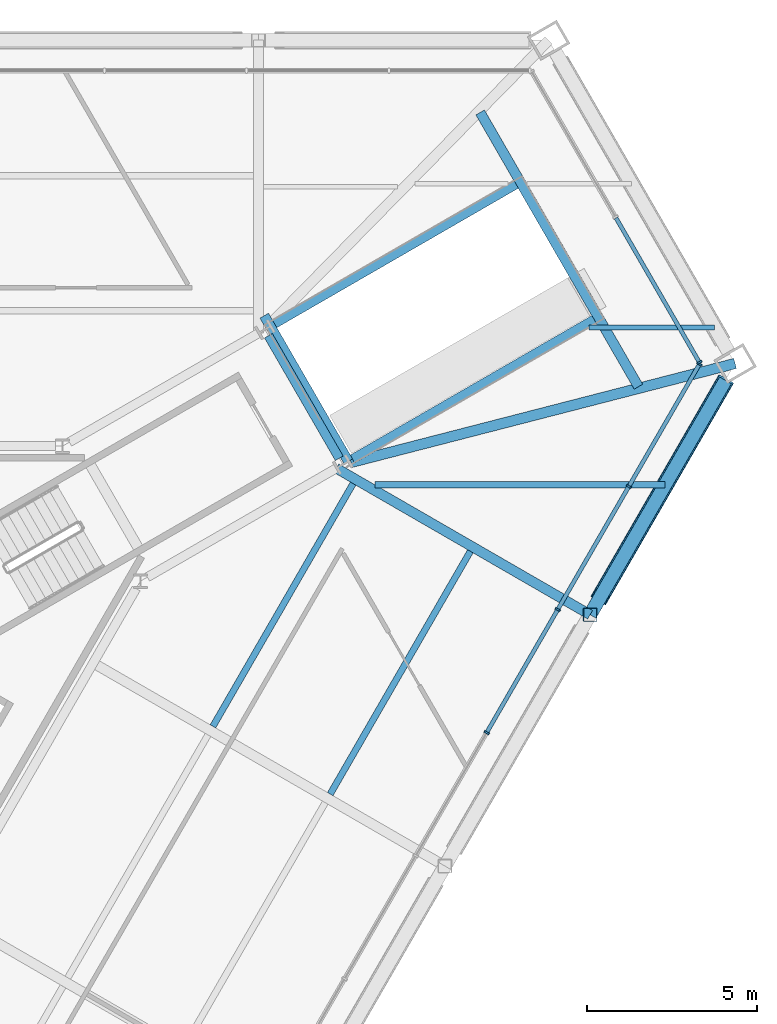
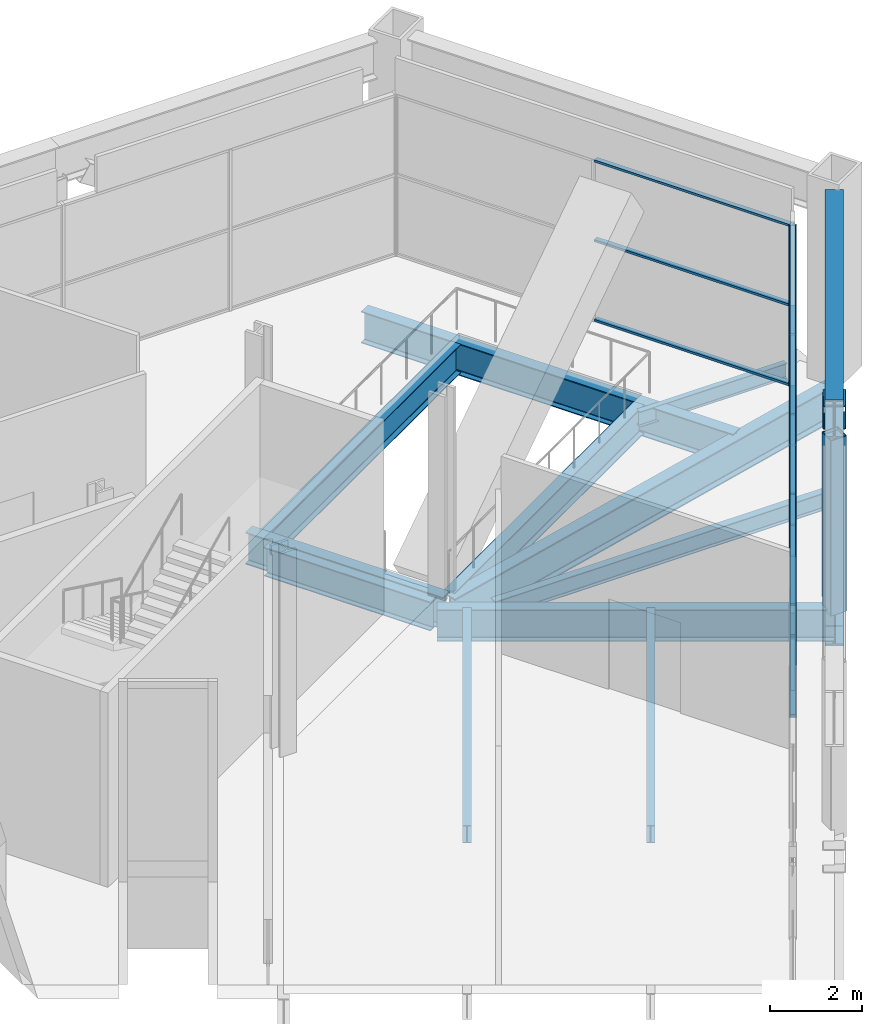
# One storey, part 9 of 20: 21 members, 11 beams, 2 elements without a shape of their own.
"""IFC4 building model written with IfcOpenShell, lengths in metres."""

from ifc_helpers import new_model, si_unit, direction, frame, origin, origin_2d, place, context, subcontext, project, spatial, rectangle, hollow_rectangle, i_section, extrude, material, layer, layer_set, material_profile, profile_set, type_object, element, aggregate, save


model = new_model("IFC4")

# Units and contexts
model_context = context("Model", 3, precision=1e-05, world=origin(), true_north=direction((0.0, 1.0)))
body_context = subcontext(model_context, "Body", "Model", "MODEL_VIEW")
ifc_project = project(units=[si_unit("LENGTHUNIT", "METRE"), si_unit("AREAUNIT", "SQUARE_METRE"), si_unit("VOLUMEUNIT", "CUBIC_METRE"), si_unit("PLANEANGLEUNIT", "RADIAN"), si_unit("MASSUNIT", "GRAM", prefix="KILO")], contexts=[model_context])

# Site, building, storey
site_placement = place(None, origin())
site = spatial("IfcSite", under=ifc_project, at=site_placement, CompositionType="ELEMENT")
building_placement = place(site_placement, origin())
building = spatial("IfcBuilding", under=site, at=building_placement, Name="Verrane Prism Tower", CompositionType="ELEMENT")
storey_placement = place(building_placement, frame((0.0, 0.0, 12.0)))
storey = spatial("IfcBuildingStorey", under=building, at=storey_placement, Name="L01", CompositionType="ELEMENT", Elevation=12.0)

# Curtain wall, member
ifc_material_1 = material(Name="Aluminium and glass curtain wall", Category="aluminium")
ifc_layer = layer(ifc_material_1, 0.199951171875)
ifc_layer_set = layer_set([ifc_layer], Name="CWB-1 retail curtain wall")
curtain_wall_type = type_object("IfcCurtainWallType", Name="CWB-1 retail curtain wall", PredefinedType="NOTDEFINED", material=ifc_layer_set)
curtain_wall_1_placement = place(storey_placement, origin())
curtain_wall_1 = element("IfcCurtainWall", 1, at=curtain_wall_1_placement, inside=storey, type_object=curtain_wall_type, Name="Retail curtain wall L01 1", PredefinedType="NOTDEFINED")
ifc_material_2 = material(Name="Aluminium", Category="aluminium")
ifc_material_profile_1 = material_profile(ifc_material_2, rectangle(XDim=0.159912109375, YDim=0.06005859375, at=origin_2d()), Name="CWB-M 60x160 mullion")
ifc_profile_set_1 = profile_set([ifc_material_profile_1], Name="Aluminium")
member_type_1 = type_object("IfcMemberType", Name="CWB-M 60x160 mullion", PredefinedType="MULLION", material=ifc_profile_set_1)
member_1_placement = place(storey_placement, frame((30.11328125, 11.669677734375, 0.0), z_axis=(0.0, 0.0, 1.0), x_axis=(-0.866025871, -0.499999190758, 0.0)))
member_1 = element("IfcMember", 2, at=member_1_placement, type_object=member_type_1, Name="CWB11 mullion 1", PredefinedType="MULLION", context=body_context, shape_type="SweptSolid", body=[
    extrude(rectangle(XDim=0.159912109375, YDim=0.06005859375, at=origin_2d()), origin(), (0.0, 0.0, 1.0), 4.2900390625),
])

# Curtain wall, members
curtain_wall_2_placement = place(storey_placement, origin())
curtain_wall_2 = element("IfcCurtainWall", 3, at=curtain_wall_2_placement, inside=storey, type_object=curtain_wall_type, Name="Retail curtain wall L01 6", PredefinedType="NOTDEFINED")
member_2_placement = place(storey_placement, frame((23.84130859375, 0.75439453125, 0.0), z_axis=(0.0, 0.0, 1.0), x_axis=(-0.866025335097, 0.50000011897, 0.0)))
member_2 = element("IfcMember", 4, at=member_2_placement, type_object=member_type_1, Name="CWB16 mullion 10", PredefinedType="MULLION", context=body_context, shape_type="SweptSolid", body=[
    extrude(rectangle(XDim=0.159912109375, YDim=0.06005859375, at=origin_2d()), origin(), (0.0, 0.0, 1.0), 4.2900390625),
])
member_3_placement = place(storey_placement, frame((25.93701171875, 4.384033203125, 0.0), z_axis=(0.0, 0.0, 1.0), x_axis=(-0.866025335097, 0.50000011897, 0.0)))
member_3 = element("IfcMember", 5, at=member_3_placement, type_object=member_type_1, Name="CWB16 mullion 11", PredefinedType="MULLION", context=body_context, shape_type="SweptSolid", body=[
    extrude(rectangle(XDim=0.159912109375, YDim=0.06005859375, at=origin_2d()), origin(), (0.0, 0.0, 1.0), 4.2900390625),
])
member_4_placement = place(storey_placement, frame((28.03271484375, 8.013916015625, 0.0), z_axis=(0.0, 0.0, 1.0), x_axis=(-0.866025335097, 0.50000011897, 0.0)))
member_4 = element("IfcMember", 6, at=member_4_placement, type_object=member_type_1, Name="CWB16 mullion 12", PredefinedType="MULLION", context=body_context, shape_type="SweptSolid", body=[
    extrude(rectangle(XDim=0.159912109375, YDim=0.06005859375, at=origin_2d()), origin(), (0.0, 0.0, 1.0), 4.2900390625),
])
member_5_placement = place(storey_placement, frame((30.11328125, 11.61767578125, 0.0), z_axis=(0.0, 0.0, 1.0), x_axis=(-0.866025335097, 0.50000011897, 0.0)))
member_5 = element("IfcMember", 7, at=member_5_placement, type_object=member_type_1, Name="CWB16 mullion 13", PredefinedType="MULLION", context=body_context, shape_type="SweptSolid", body=[
    extrude(rectangle(XDim=0.159912109375, YDim=0.06005859375, at=origin_2d()), origin(), (0.0, 0.0, 1.0), 4.2900390625),
])

# Member
ifc_material_3 = material(Name="Aluminium", Category="aluminium")
ifc_material_profile_2 = material_profile(ifc_material_3, rectangle(XDim=0.1201171875, YDim=0.06005859375, at=origin_2d()), Name="CWB-T 60x120 transom")
ifc_profile_set_2 = profile_set([ifc_material_profile_2], Name="Aluminium")
member_type_2 = type_object("IfcMemberType", Name="CWB-T 60x120 transom", PredefinedType="USERDEFINED", material=ifc_profile_set_2)
member_6_placement = place(storey_placement, frame((30.098388671875, 11.695556640625, 0.030029296875), z_axis=(-0.500004774777, 0.866022647048, 0.0), x_axis=(-0.866022647048, -0.500004774777, 0.0)))
member_6 = element("IfcMember", 8, at=member_6_placement, type_object=member_type_2, Name="CWB11 transom 1.1", ObjectType="TRANSOM", PredefinedType="USERDEFINED", context=body_context, shape_type="SweptSolid", body=[
    extrude(rectangle(XDim=0.1201171875, YDim=0.06005859375, at=origin_2d()), origin(), (0.0, 0.0, 1.0), 4.890625),
])

member_7_placement = place(storey_placement, frame((30.098388671875, 11.695556640625, 2.14501953125), z_axis=(-0.500004774777, 0.866022647048, 0.0), x_axis=(-0.866022647048, -0.500004774777, 0.0)))
member_7 = element("IfcMember", 9, at=member_7_placement, type_object=member_type_2, Name="CWB11 transom 1.2", ObjectType="TRANSOM", PredefinedType="USERDEFINED", context=body_context, shape_type="SweptSolid", body=[
    extrude(rectangle(XDim=0.1201171875, YDim=0.06005859375, at=origin_2d()), origin(), (0.0, 0.0, 1.0), 4.890625),
])

member_8_placement = place(storey_placement, frame((30.098388671875, 11.695556640625, 4.260009765625), z_axis=(-0.500004774777, 0.866022647048, 0.0), x_axis=(-0.866022647048, -0.500004774777, 0.0)))
member_8 = element("IfcMember", 10, at=member_8_placement, type_object=member_type_2, Name="CWB11 transom 1.3", ObjectType="TRANSOM", PredefinedType="USERDEFINED", context=body_context, shape_type="SweptSolid", body=[
    extrude(rectangle(XDim=0.1201171875, YDim=0.06005859375, at=origin_2d()), origin(), (0.0, 0.0, 1.0), 4.890625),
])

aggregate(curtain_wall_1, [member_1, member_6, member_7, member_8])

member_9_placement = place(storey_placement, frame((23.856201171875, 0.7802734375, 0.030029296875), z_axis=(0.499996977546, 0.866027148792, 0.0), x_axis=(-0.866027148792, 0.499996977546, 0.0)))
member_9 = element("IfcMember", 11, at=member_9_placement, type_object=member_type_2, Name="CWB16 transom 10.1", ObjectType="TRANSOM", PredefinedType="USERDEFINED", context=body_context, shape_type="SweptSolid", body=[
    extrude(rectangle(XDim=0.1201171875, YDim=0.06005859375, at=origin_2d()), origin(), (0.0, 0.0, 1.0), 4.13134765625),
])

member_10_placement = place(storey_placement, frame((23.856201171875, 0.7802734375, 2.14501953125), z_axis=(0.499996977546, 0.866027148792, 0.0), x_axis=(-0.866027148792, 0.499996977546, 0.0)))
member_10 = element("IfcMember", 12, at=member_10_placement, type_object=member_type_2, Name="CWB16 transom 10.2", ObjectType="TRANSOM", PredefinedType="USERDEFINED", context=body_context, shape_type="SweptSolid", body=[
    extrude(rectangle(XDim=0.1201171875, YDim=0.06005859375, at=origin_2d()), origin(), (0.0, 0.0, 1.0), 4.13134765625),
])

member_11_placement = place(storey_placement, frame((23.856201171875, 0.7802734375, 4.260009765625), z_axis=(0.499996977546, 0.866027148792, 0.0), x_axis=(-0.866027148792, 0.499996977546, 0.0)))
member_11 = element("IfcMember", 13, at=member_11_placement, type_object=member_type_2, Name="CWB16 transom 10.3", ObjectType="TRANSOM", PredefinedType="USERDEFINED", context=body_context, shape_type="SweptSolid", body=[
    extrude(rectangle(XDim=0.1201171875, YDim=0.06005859375, at=origin_2d()), origin(), (0.0, 0.0, 1.0), 4.13134765625),
])

member_12_placement = place(storey_placement, frame((25.951904296875, 4.41015625, 0.030029296875), z_axis=(0.499996977546, 0.866027148792, 0.0), x_axis=(-0.866027148792, 0.499996977546, 0.0)))
member_12 = element("IfcMember", 14, at=member_12_placement, type_object=member_type_2, Name="CWB16 transom 11.1", ObjectType="TRANSOM", PredefinedType="USERDEFINED", context=body_context, shape_type="SweptSolid", body=[
    extrude(rectangle(XDim=0.1201171875, YDim=0.06005859375, at=origin_2d()), origin(), (0.0, 0.0, 1.0), 4.13134765625),
])

member_13_placement = place(storey_placement, frame((25.951904296875, 4.41015625, 2.14501953125), z_axis=(0.499996977546, 0.866027148792, 0.0), x_axis=(-0.866027148792, 0.499996977546, 0.0)))
member_13 = element("IfcMember", 15, at=member_13_placement, type_object=member_type_2, Name="CWB16 transom 11.2", ObjectType="TRANSOM", PredefinedType="USERDEFINED", context=body_context, shape_type="SweptSolid", body=[
    extrude(rectangle(XDim=0.1201171875, YDim=0.06005859375, at=origin_2d()), origin(), (0.0, 0.0, 1.0), 4.13134765625),
])

member_14_placement = place(storey_placement, frame((25.951904296875, 4.41015625, 4.260009765625), z_axis=(0.499996977546, 0.866027148792, 0.0), x_axis=(-0.866027148792, 0.499996977546, 0.0)))
member_14 = element("IfcMember", 16, at=member_14_placement, type_object=member_type_2, Name="CWB16 transom 11.3", ObjectType="TRANSOM", PredefinedType="USERDEFINED", context=body_context, shape_type="SweptSolid", body=[
    extrude(rectangle(XDim=0.1201171875, YDim=0.06005859375, at=origin_2d()), origin(), (0.0, 0.0, 1.0), 4.13134765625),
])

member_15_placement = place(storey_placement, frame((28.047607421875, 8.039794921875, 0.030029296875), z_axis=(0.500005845305, 0.86602202897, 0.0), x_axis=(-0.86602202897, 0.500005845305, 0.0)))
member_15 = element("IfcMember", 17, at=member_15_placement, type_object=member_type_2, Name="CWB16 transom 12.1", ObjectType="TRANSOM", PredefinedType="USERDEFINED", context=body_context, shape_type="SweptSolid", body=[
    extrude(rectangle(XDim=0.1201171875, YDim=0.06005859375, at=origin_2d()), origin(), (0.0, 0.0, 1.0), 4.1015625),
])

member_16_placement = place(storey_placement, frame((28.047607421875, 8.039794921875, 2.14501953125), z_axis=(0.500005845305, 0.86602202897, 0.0), x_axis=(-0.86602202897, 0.500005845305, 0.0)))
member_16 = element("IfcMember", 18, at=member_16_placement, type_object=member_type_2, Name="CWB16 transom 12.2", ObjectType="TRANSOM", PredefinedType="USERDEFINED", context=body_context, shape_type="SweptSolid", body=[
    extrude(rectangle(XDim=0.1201171875, YDim=0.06005859375, at=origin_2d()), origin(), (0.0, 0.0, 1.0), 4.1015625),
])

member_17_placement = place(storey_placement, frame((28.047607421875, 8.039794921875, 4.260009765625), z_axis=(0.500005845305, 0.86602202897, 0.0), x_axis=(-0.86602202897, 0.500005845305, 0.0)))
member_17 = element("IfcMember", 19, at=member_17_placement, type_object=member_type_2, Name="CWB16 transom 12.3", ObjectType="TRANSOM", PredefinedType="USERDEFINED", context=body_context, shape_type="SweptSolid", body=[
    extrude(rectangle(XDim=0.1201171875, YDim=0.06005859375, at=origin_2d()), origin(), (0.0, 0.0, 1.0), 4.1015625),
])

aggregate(curtain_wall_2, [member_2, member_3, member_4, member_5, member_9, member_10, member_11, member_12, member_13, member_14, member_15, member_16, member_17])

# Beams
ifc_material_4 = material(Name="Steel A992", Category="steel")
ifc_material_profile_3 = material_profile(ifc_material_4, i_section(OverallWidth=0.2666015625, OverallDepth=0.76708984375, WebThickness=0.014892578125, FlangeThickness=0.023681640625, FilletRadius=0.0166015625, at=origin_2d()), Name="W30x124")
ifc_profile_set_3 = profile_set([ifc_material_profile_3], Name="Steel A992")
beam_type_1 = type_object("IfcBeamType", Name="Core ring girder W30x124", PredefinedType="BEAM", material=ifc_profile_set_3)
beam_1_placement = place(storey_placement, frame((19.493896484375, 8.843505859375, -0.633544921875), z_axis=(-0.500367275473, 0.865813253326, 0.0), x_axis=(-0.865813253326, -0.500367275473, 0.0)))
element("IfcBeam", 20, at=beam_1_placement, inside=storey, type_object=beam_type_1, Name="Core ring girder L01", PredefinedType="BEAM", context=body_context, shape_type="SweptSolid", body=[
    extrude(i_section(OverallWidth=0.2666015625, OverallDepth=0.76708984375, WebThickness=0.014892578125, FlangeThickness=0.023681640625, FilletRadius=0.0166015625, at=origin_2d()), origin(), (0.0, 0.0, 1.0), 4.172607421875),
])
ifc_material_5 = material(Name="Steel A992", Category="steel")
ifc_material_profile_4 = material_profile(ifc_material_5, i_section(OverallWidth=0.307373046875, OverallDepth=0.927001953125, WebThickness=0.01953125, FlangeThickness=0.031982421875, FilletRadius=0.01904296875, at=origin_2d()), Name="W36x194")
ifc_profile_set_4 = profile_set([ifc_material_profile_4], Name="Steel A992")
beam_type_2 = type_object("IfcBeamType", Name="Corner girder W36x194", PredefinedType="BEAM", material=ifc_profile_set_4)
beam_2_placement = place(storey_placement, frame((31.16455078125, 11.638671875, -0.68359375), z_axis=(-0.968392733058, -0.249430380188, 0.0), x_axis=(0.249430380188, -0.968392733058, 0.0)))
element("IfcBeam", 21, at=beam_2_placement, inside=storey, type_object=beam_type_2, Name="Corner girder L01", PredefinedType="BEAM", context=body_context, shape_type="SweptSolid", body=[
    extrude(i_section(OverallWidth=0.307373046875, OverallDepth=0.927001953125, WebThickness=0.01953125, FlangeThickness=0.031982421875, FilletRadius=0.01904296875, at=origin_2d()), origin(), (0.0, 0.0, 1.0), 11.695556640625),
])
ifc_material_6 = material(Name="Steel A992", Category="steel")
ifc_material_profile_5 = material_profile(ifc_material_6, i_section(OverallWidth=0.140380859375, OverallDepth=0.40380859375, WebThickness=0.007080078125, FlangeThickness=0.01123046875, FilletRadius=0.01025390625, at=origin_2d()), Name="W16x31")
ifc_profile_set_5 = profile_set([ifc_material_profile_5], Name="Steel A992")
beam_type_3 = type_object("IfcBeamType", Name="Floor beam W16x31", PredefinedType="BEAM", material=ifc_profile_set_5)
beam_3_placement = place(storey_placement, frame((26.860595703125, 12.699951171875, -0.36181640625), z_axis=(1.0, 0.0, 0.0), x_axis=(0.0, 1.0, 0.0)))
element("IfcBeam", 22, at=beam_3_placement, inside=storey, type_object=beam_type_3, Name="Floor beam L01", PredefinedType="BEAM", context=body_context, shape_type="SweptSolid", body=[
    extrude(i_section(OverallWidth=0.140380859375, OverallDepth=0.40380859375, WebThickness=0.007080078125, FlangeThickness=0.01123046875, FilletRadius=0.01025390625, at=origin_2d()), origin(), (0.0, 0.0, 1.0), 3.697509765625),
])
ifc_material_7 = material(Name="Steel A992", Category="steel")
ifc_material_profile_6 = material_profile(ifc_material_7, i_section(OverallWidth=0.1904296875, OverallDepth=0.457275390625, WebThickness=0.009033203125, FlangeThickness=0.014404296875, FilletRadius=0.01025390625, at=origin_2d()), Name="W18x50")
ifc_profile_set_6 = profile_set([ifc_material_profile_6], Name="Steel A992")
beam_type_4 = type_object("IfcBeamType", Name="Floor beam W18x50", PredefinedType="BEAM", material=ifc_profile_set_6)
beam_4_placement = place(storey_placement, frame((19.226806640625, -1.05712890625, -0.388671875), z_axis=(0.500005423512, 0.866022272496, 0.0), x_axis=(-0.866022272496, 0.500005423512, 0.0)))
element("IfcBeam", 23, at=beam_4_placement, inside=storey, type_object=beam_type_4, Name="Floor beam L01", PredefinedType="BEAM", context=body_context, shape_type="SweptSolid", body=[
    extrude(i_section(OverallWidth=0.1904296875, OverallDepth=0.457275390625, WebThickness=0.009033203125, FlangeThickness=0.014404296875, FilletRadius=0.01025390625, at=origin_2d()), origin(), (0.0, 0.0, 1.0), 8.26513671875),
])
beam_5_placement = place(storey_placement, frame((15.769287109375, 0.93994140625, -0.388671875), z_axis=(0.500018214608, 0.86601488732, 0.0), x_axis=(-0.86601488732, 0.500018214608, 0.0)))
element("IfcBeam", 24, at=beam_5_placement, inside=storey, type_object=beam_type_4, Name="Floor beam L01", PredefinedType="BEAM", context=body_context, shape_type="SweptSolid", body=[
    extrude(i_section(OverallWidth=0.1904296875, OverallDepth=0.457275390625, WebThickness=0.009033203125, FlangeThickness=0.014404296875, FilletRadius=0.01025390625, at=origin_2d()), origin(), (0.0, 0.0, 1.0), 8.264892578125),
])
beam_6_placement = place(storey_placement, frame((20.541748046875, 8.06494140625, -0.388671875), z_axis=(1.0, 0.0, 0.0), x_axis=(0.0, 1.0, 0.0)))
element("IfcBeam", 25, at=beam_6_placement, inside=storey, type_object=beam_type_4, Name="Floor beam L01", PredefinedType="BEAM", context=body_context, shape_type="SweptSolid", body=[
    extrude(i_section(OverallWidth=0.1904296875, OverallDepth=0.457275390625, WebThickness=0.009033203125, FlangeThickness=0.014404296875, FilletRadius=0.01025390625, at=origin_2d()), origin(), (0.0, 0.0, 1.0), 8.563232421875),
])
ifc_material_8 = material(Name="Steel A992", Category="steel")
ifc_material_profile_7 = material_profile(ifc_material_8, i_section(OverallWidth=0.2919921875, OverallDepth=0.845703125, WebThickness=0.015380859375, FlangeThickness=0.0244140625, FilletRadius=0.017822265625, at=origin_2d()), Name="W33x141")
ifc_profile_set_7 = profile_set([ifc_material_profile_7], Name="Steel A992")
beam_type_5 = type_object("IfcBeamType", Name="Radial girder W33x141", PredefinedType="BEAM", material=ifc_profile_set_7)
beam_7_placement = place(storey_placement, frame((26.889892578125, 4.22998046875, -0.642822265625), z_axis=(-0.866024167848, 0.500002140699, 0.0), x_axis=(-0.500002140699, -0.866024167848, 0.0)))
element("IfcBeam", 26, at=beam_7_placement, inside=storey, type_object=beam_type_5, Name="Radial girder L01", PredefinedType="BEAM", context=body_context, shape_type="SweptSolid", body=[
    extrude(i_section(OverallWidth=0.2919921875, OverallDepth=0.845703125, WebThickness=0.015380859375, FlangeThickness=0.0244140625, FilletRadius=0.017822265625, at=origin_2d()), origin(), (0.0, 0.0, 1.0), 8.63916015625),
])
ifc_material_9 = material(Name="Steel A992", Category="steel")
ifc_material_profile_8 = material_profile(ifc_material_9, i_section(OverallWidth=0.2666015625, OverallDepth=0.76708984375, WebThickness=0.014892578125, FlangeThickness=0.023681640625, FilletRadius=0.0166015625, at=origin_2d()), Name="W30x124")
ifc_profile_set_8 = profile_set([ifc_material_profile_8], Name="Steel A992")
beam_type_6 = type_object("IfcBeamType", Name="Slab edge girder W30x124", PredefinedType="BEAM", material=ifc_profile_set_8)
beam_8_placement = place(storey_placement, frame((19.882080078125, 8.822998046875, -0.54345703125), z_axis=(0.86602750728, 0.499996356621, 0.0), x_axis=(-0.499996356621, 0.86602750728, 0.0)))
element("IfcBeam", 27, at=beam_8_placement, inside=storey, type_object=beam_type_6, Name="Slab edge girder L01", PredefinedType="BEAM", context=body_context, shape_type="SweptSolid", body=[
    extrude(i_section(OverallWidth=0.2666015625, OverallDepth=0.76708984375, WebThickness=0.014892578125, FlangeThickness=0.023681640625, FilletRadius=0.0166015625, at=origin_2d()), origin(), (0.0, 0.0, 1.0), 8.22998046875),
])
beam_9_placement = place(storey_placement, frame((24.709716796875, 16.921875, -0.54345703125), z_axis=(-0.866034923029, -0.499983511822, 0.0), x_axis=(0.499983511822, -0.866034923029, 0.0)))
element("IfcBeam", 28, at=beam_9_placement, inside=storey, type_object=beam_type_6, Name="Slab edge girder L01", PredefinedType="BEAM", context=body_context, shape_type="SweptSolid", body=[
    extrude(i_section(OverallWidth=0.2666015625, OverallDepth=0.76708984375, WebThickness=0.014892578125, FlangeThickness=0.023681640625, FilletRadius=0.0166015625, at=origin_2d()), origin(), (0.0, 0.0, 1.0), 8.230224609375),
])
ifc_material_10 = material(Name="Steel A992", Category="steel")
ifc_material_profile_9 = material_profile(ifc_material_10, i_section(OverallWidth=0.2919921875, OverallDepth=0.845703125, WebThickness=0.015380859375, FlangeThickness=0.0244140625, FilletRadius=0.017822265625, at=origin_2d()), Name="W33x141")
ifc_profile_set_9 = profile_set([ifc_material_profile_9], Name="Steel A992")
beam_type_7 = type_object("IfcBeamType", Name="Slab edge girder W33x141", PredefinedType="BEAM", material=ifc_profile_set_9)
beam_10_placement = place(storey_placement, frame((28.31640625, 10.95458984375, -0.5830078125), z_axis=(-0.500003119808, 0.866023602555, 0.0), x_axis=(-0.866023602555, -0.500003119808, 0.0)))
element("IfcBeam", 29, at=beam_10_placement, inside=storey, type_object=beam_type_7, Name="Slab edge girder L01", PredefinedType="BEAM", context=body_context, shape_type="SweptSolid", body=[
    extrude(i_section(OverallWidth=0.2919921875, OverallDepth=0.845703125, WebThickness=0.015380859375, FlangeThickness=0.0244140625, FilletRadius=0.017822265625, at=origin_2d()), origin(), (0.0, 0.0, 1.0), 9.3369140625),
])
beam_11_placement = place(storey_placement, frame((17.281005859375, 13.048583984375, -0.5830078125), z_axis=(0.500002137087, -0.866024169933, 0.0), x_axis=(0.866024169933, 0.500002137087, 0.0)))
element("IfcBeam", 30, at=beam_11_placement, inside=storey, type_object=beam_type_7, Name="Slab edge girder L01", PredefinedType="BEAM", context=body_context, shape_type="SweptSolid", body=[
    extrude(i_section(OverallWidth=0.2919921875, OverallDepth=0.845703125, WebThickness=0.015380859375, FlangeThickness=0.0244140625, FilletRadius=0.017822265625, at=origin_2d()), origin(), (0.0, 0.0, 1.0), 4.9619140625),
])

# Members
ifc_material_11 = material(Name="Steel A992", Category="steel")
ifc_material_profile_10 = material_profile(ifc_material_11, i_section(OverallWidth=0.4013671875, OverallDepth=1.000732421875, WebThickness=0.01904296875, FlangeThickness=0.0361328125, FilletRadius=0.030029296875, at=origin_2d()), Name="W40x249")
ifc_profile_set_10 = profile_set([ifc_material_profile_10], Name="Steel A992")
member_type_3 = type_object("IfcMemberType", Name="Transfer truss chord W40x249", PredefinedType="CHORD", material=ifc_profile_set_10)
member_18_placement = place(storey_placement, frame((26.889892578125, 4.22998046875, 4.739501953125), z_axis=(0.500176162953, 0.865923672164, 0.0), x_axis=(-0.865923672164, 0.500176162953, 0.0)))
element("IfcMember", 31, at=member_18_placement, inside=storey, type_object=member_type_3, Name="Truss chord L01", PredefinedType="CHORD", context=body_context, shape_type="SweptSolid", body=[
    extrude(i_section(OverallWidth=0.4013671875, OverallDepth=1.000732421875, WebThickness=0.01904296875, FlangeThickness=0.0361328125, FilletRadius=0.030029296875, at=origin_2d()), origin(), (0.0, 0.0, 1.0), 7.97998046875),
])
ifc_material_12 = material(Name="Steel A992", Category="steel")
ifc_material_profile_11 = material_profile(ifc_material_12, i_section(OverallWidth=0.40380859375, OverallDepth=1.11767578125, WebThickness=0.026123046875, FlangeThickness=0.044921875, FilletRadius=0.02001953125, at=origin_2d()), Name="W44x335")
ifc_profile_set_11 = profile_set([ifc_material_profile_11], Name="Steel A992")
member_type_4 = type_object("IfcMemberType", Name="Transfer truss chord W44x335", PredefinedType="CHORD", material=ifc_profile_set_11)
member_19_placement = place(storey_placement, frame((26.889892578125, 4.22998046875, -0.72119140625), z_axis=(0.500176162953, 0.865923672164, 0.0), x_axis=(-0.865923672164, 0.500176162953, 0.0)))
element("IfcMember", 32, at=member_19_placement, inside=storey, type_object=member_type_4, Name="Truss chord L01", PredefinedType="CHORD", context=body_context, shape_type="SweptSolid", body=[
    extrude(i_section(OverallWidth=0.40380859375, OverallDepth=1.11767578125, WebThickness=0.026123046875, FlangeThickness=0.044921875, FilletRadius=0.02001953125, at=origin_2d()), origin(), (0.0, 0.0, 1.0), 7.97998046875),
])
ifc_material_13 = material(Name="Steel A500 Grade C", Category="steel")
ifc_material_profile_12 = material_profile(ifc_material_13, hollow_rectangle(XDim=0.508056640625, YDim=0.508056640625, WallThickness=0.01904296875, InnerFilletRadius=0.009521484375, OuterFilletRadius=0.028564453125, at=origin_2d()), Name="HSS20x20x3/4")
ifc_profile_set_12 = profile_set([ifc_material_profile_12], Name="Steel A500 Grade C")
member_type_5 = type_object("IfcMemberType", Name="Transfer truss diagonal HSS20x20x3/4", PredefinedType="BRACE", material=ifc_profile_set_12)
member_20_placement = place(storey_placement, frame((30.840576171875, 11.069580078125, -0.30078125), z_axis=(-0.421636436752, -0.729955256659, 0.537947988637), x_axis=(0.865924412522, -0.500174881215, 0.0)))
element("IfcMember", 33, at=member_20_placement, inside=storey, type_object=member_type_5, Name="Truss diagonal L01", PredefinedType="BRACE", context=body_context, shape_type="SweptSolid", body=[
    extrude(hollow_rectangle(XDim=0.508056640625, YDim=0.508056640625, WallThickness=0.01904296875, InnerFilletRadius=0.009521484375, OuterFilletRadius=0.028564453125, at=origin_2d()), origin(), (0.0, 0.0, 1.0), 8.643798828125),
])
ifc_material_14 = material(Name="Steel A500 Grade C", Category="steel")
ifc_material_profile_13 = material_profile(ifc_material_14, hollow_rectangle(XDim=0.406494140625, YDim=0.406494140625, WallThickness=0.01904296875, InnerFilletRadius=0.009521484375, OuterFilletRadius=0.028564453125, at=origin_2d()), Name="HSS16x16x3/4")
ifc_profile_set_13 = profile_set([ifc_material_profile_13], Name="Steel A500 Grade C")
member_type_6 = type_object("IfcMemberType", Name="Transfer truss post HSS16x16x3/4", PredefinedType="POST", material=ifc_profile_set_13)
member_21_placement = place(storey_placement, frame((26.889892578125, 4.22998046875, -0.30078125), z_axis=(0.0, 0.0, 1.0), x_axis=(1.0, 0.0, 0.0)))
element("IfcMember", 34, at=member_21_placement, inside=storey, type_object=member_type_6, Name="Truss post L01", PredefinedType="POST", context=body_context, shape_type="SweptSolid", body=[
    extrude(hollow_rectangle(XDim=0.406494140625, YDim=0.406494140625, WallThickness=0.01904296875, InnerFilletRadius=0.009521484375, OuterFilletRadius=0.028564453125, at=origin_2d()), origin(), (0.0, 0.0, 1.0), 4.64990234375),
])

save(model, "model.ifc")
